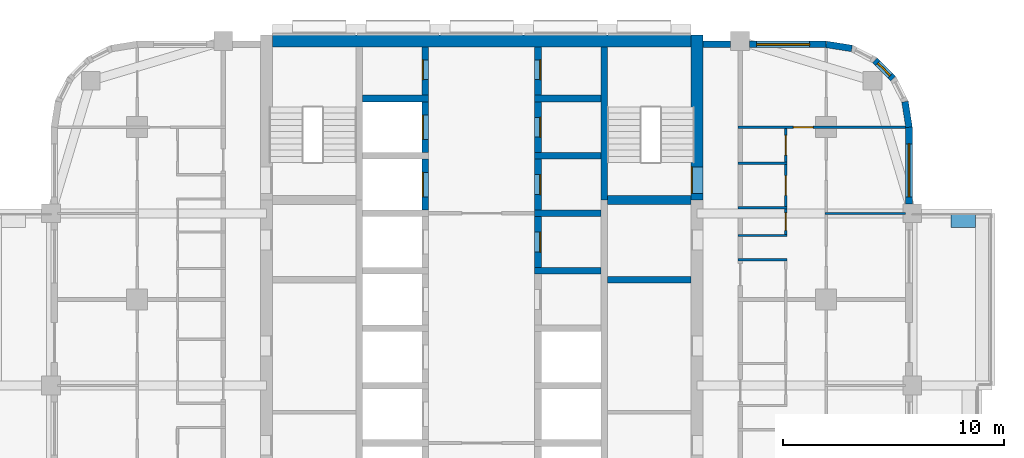
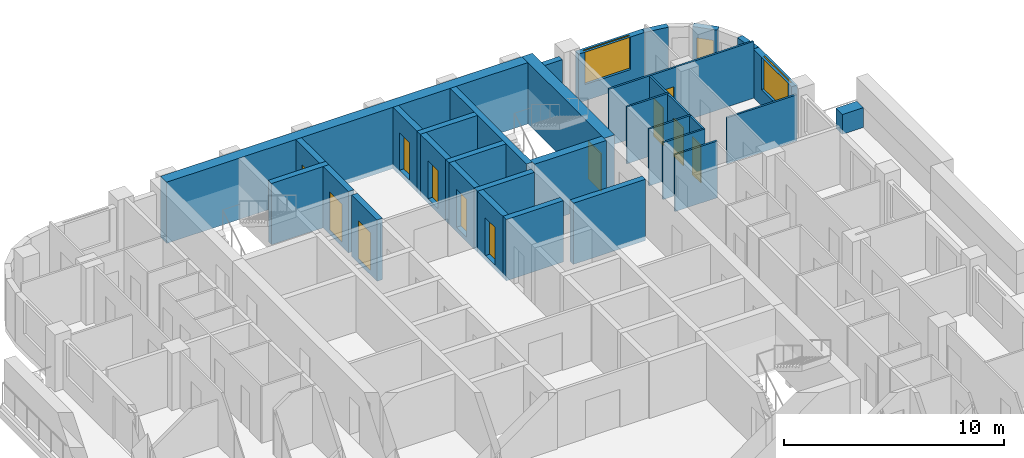
# One storey, part 9 of 14: 31 walls, 12 doors, 3 windows, 15 openings.
"""IFC4 building model written with IfcOpenShell, lengths in metres."""

from ifc_helpers import new_model, si_unit, direction, frame, frame_2d, origin, place, context, subcontext, project, spatial, rectangle, extrude, material, layer, layer_set, type_object, element, fill, save


model = new_model("IFC4")

# Units and contexts
model_context = context("Model", 3, precision=1e-05, world=origin(), true_north=direction((0.0, 1.0)))
body_context = subcontext(model_context, "Body", "Model", "MODEL_VIEW")
ifc_project = project(units=[si_unit("LENGTHUNIT", "METRE"), si_unit("AREAUNIT", "SQUARE_METRE"), si_unit("VOLUMEUNIT", "CUBIC_METRE"), si_unit("PLANEANGLEUNIT", "RADIAN"), si_unit("MASSUNIT", "GRAM", prefix="KILO")], contexts=[model_context])

# Site, building, storey
site_placement = place(None, origin())
site = spatial("IfcSite", under=ifc_project, at=site_placement, CompositionType="ELEMENT")
building_placement = place(site_placement, origin())
building = spatial("IfcBuilding", under=site, at=building_placement, Name="Ludao Terraces", CompositionType="ELEMENT")
storey_placement = place(building_placement, frame((0.0, 0.0, 110.10009765625)))
storey = spatial("IfcBuildingStorey", under=building, at=storey_placement, Name="L30", CompositionType="ELEMENT", Elevation=110.10009765625)

# Wall, opening, door
ifc_material_1 = material(Name="Concrete C60", Category="concrete")
ifc_layer_1 = layer(ifc_material_1, 0.550048828125)
ifc_layer_set_1 = layer_set([ifc_layer_1], Name="Core wall 550 C60")
wall_type_1 = type_object("IfcWallType", Name="Core wall 550 C60", PredefinedType="SOLIDWALL", material=ifc_layer_set_1)
wall_1_placement = place(storey_placement, frame((94.75, 77.300048828125, -0.25), z_axis=(0.0, 0.0, 1.0), x_axis=(0.0, 1.0, 0.0)))
wall_1 = element("IfcWall", 1, at=wall_1_placement, inside=storey, type_object=wall_type_1, Name="Core wall L30 outer-E-S2", PredefinedType="SOLIDWALL", context=body_context, shape_type="SweptSolid", body=[
    extrude(rectangle(XDim=7.474853515625, YDim=0.550048828125, at=frame_2d((3.7373046875, 0.0))), origin(), (0.0, 0.0, 1.0), 3.39990234375),
])
opening_1_placement = place(wall_1_placement, frame((0.300048828125, 0.0, 0.25)))
opening_1 = element("IfcOpeningElement", 2, at=opening_1_placement, cuts=wall_1, Name="Opening R09-088", PredefinedType="OPENING", context=body_context, shape_type="SweptSolid", body=[
    extrude(rectangle(XDim=1.199951171875, YDim=2.10009765625, at=frame_2d((0.60009765625, 1.050048828125))), frame((0.0, 0.28515625, 0.0), z_axis=(0.0, -1.0, 0.0), x_axis=(1.0, 0.0, 0.0)), (0.0, 0.0, 1.0), 0.570068359375),
])
ifc_material_2 = material(Name="Steel Q235", Category="steel")
door_type_1 = type_object("IfcDoorType", Name="INT Stair door 1200", OperationType="DOUBLE_DOOR_SINGLE_SWING", PredefinedType="DOOR", material=ifc_material_2)
door_1_placement = place(opening_1_placement, origin())
door_1 = element("IfcDoor", 3, at=door_1_placement, inside=storey, type_object=door_type_1, Name="DOOR 088", OperationType="DOUBLE_DOOR_SINGLE_SWING", OverallHeight=2.10009765625, OverallWidth=1.199951171875, PredefinedType="DOOR", context=body_context, shape_type="SweptSolid", body=[
    extrude(rectangle(XDim=1.199951171875, YDim=2.10009765625, at=frame_2d((0.60009765625, 1.050048828125))), frame((0.0, 0.26025390625, 0.0), z_axis=(0.0, -1.0, 0.0), x_axis=(1.0, 0.0, 0.0)), (0.0, 0.0, 1.0), 0.050048828125),
])
fill(opening_1, door_1)

# Walls
wall_2_placement = place(storey_placement, frame((75.52490234375, 84.5, -0.25), z_axis=(0.0, 0.0, 1.0), x_axis=(1.0, 0.0, 0.0)))
element("IfcWall", 4, at=wall_2_placement, inside=storey, type_object=wall_type_1, Name="Core wall L30 outer-N", PredefinedType="SOLIDWALL", context=body_context, shape_type="SweptSolid", body=[
    extrude(rectangle(XDim=18.9501953125, YDim=0.550048828125, at=frame_2d((9.47509765625, 0.0))), origin(), (0.0, 0.0, 1.0), 3.39990234375),
])
ifc_material_3 = material(Name="Concrete C40", Category="concrete")
ifc_layer_2 = layer(ifc_material_3, 0.60009765625)
ifc_layer_set_2 = layer_set([ifc_layer_2], Name="ENV Planter trough 600")
wall_type_2 = type_object("IfcWallType", Name="ENV Planter trough 600", PredefinedType="USERDEFINED", material=ifc_layer_set_2)
wall_3_placement = place(storey_placement, frame((107.35009765625, 76.35009765625, 0.0), z_axis=(0.0, 0.0, 1.0), x_axis=(-1.0, 0.0, 0.0)))
element("IfcWall", 5, at=wall_3_placement, inside=storey, type_object=wall_type_2, Name="PL-L30-E3-SB", ObjectType="PLANTER", PredefinedType="USERDEFINED", context=body_context, shape_type="SweptSolid", body=[
    extrude(rectangle(XDim=1.10009765625, YDim=0.60009765625, at=frame_2d((0.550048828125, 0.0))), origin(), (0.0, 0.0, 1.0), 1.099853515625),
])

# Wall, opening, window
ifc_material_4 = material(Name="Granite cladding", Category="masonry")
ifc_layer_3 = layer(ifc_material_4, 0.0400390625, Category="stone")
ifc_material_5 = material(Name="Mineral wool")
ifc_layer_4 = layer(ifc_material_5, 0.06005859375)
ifc_layer_5 = layer(ifc_material_3, 0.199951171875, Category="concrete")
ifc_layer_set_3 = layer_set([ifc_layer_3, ifc_layer_4, ifc_layer_5], Name="ENV Stone-clad wall 300")
wall_type_3 = type_object("IfcWallType", Name="ENV Stone-clad wall 300", PredefinedType="SOLIDWALL", material=ifc_layer_set_3)
wall_4_placement = place(storey_placement, frame((104.35009765625, 77.125, 0.0), z_axis=(0.0, 0.0, 1.0), x_axis=(0.0, 1.0, 0.0)))
wall_4 = element("IfcWall", 6, at=wall_4_placement, inside=storey, type_object=wall_type_3, Name="EW-L30-E5", PredefinedType="SOLIDWALL", context=body_context, shape_type="SweptSolid", body=[
    extrude(rectangle(XDim=3.47509765625, YDim=0.300048828125, at=frame_2d((1.737548828125, 0.0))), origin(), (0.0, 0.0, 1.0), 2.699951171875),
])
opening_2_placement = place(wall_4_placement, frame((0.324951171875, 0.0, 0.89990234375)))
opening_2 = element("IfcOpeningElement", 7, at=opening_2_placement, cuts=wall_4, Name="Opening W1", PredefinedType="OPENING", context=body_context, shape_type="SweptSolid", body=[
    extrude(rectangle(XDim=2.39990234375, YDim=1.800048828125, at=frame_2d((1.199951171875, 0.89990234375))), frame((0.0, 0.16015625, 0.0), z_axis=(0.0, -1.0, 0.0), x_axis=(1.0, 0.0, 0.0)), (0.0, 0.0, 1.0), 0.320068359375),
])
ifc_material_6 = material(Name="Clear glass in aluminium frame", Category="aluminium")
ifc_layer_6 = layer(ifc_material_6, 0.06005859375)
ifc_layer_set_4 = layer_set([ifc_layer_6], Name="ENV Window W1 2400x1800")
window_type_1 = type_object("IfcWindowType", Name="ENV Window W1 2400x1800", PartitioningType="DOUBLE_PANEL_VERTICAL", PredefinedType="WINDOW", material=ifc_layer_set_4)
window_1_placement = place(opening_2_placement, origin())
window_1 = element("IfcWindow", 8, at=window_1_placement, inside=storey, type_object=window_type_1, Name="W-L30-E5-1", OverallHeight=1.800048828125, OverallWidth=2.39990234375, PartitioningType="DOUBLE_PANEL_VERTICAL", PredefinedType="WINDOW", context=body_context, shape_type="SweptSolid", body=[
    extrude(rectangle(XDim=2.39990234375, YDim=1.800048828125, at=frame_2d((1.199951171875, 0.89990234375))), frame((0.0, 0.030029296875, 0.0), z_axis=(0.0, -1.0, 0.0), x_axis=(1.0, 0.0, 0.0)), (0.0, 0.0, 1.0), 0.06005859375),
])
fill(opening_2, window_1)

# Wall
wall_5_placement = place(storey_placement, frame((95.02490234375, 84.35009765625, 0.0), z_axis=(0.0, 0.0, 1.0), x_axis=(1.0, 0.0, 0.0)))
element("IfcWall", 9, at=wall_5_placement, inside=storey, type_object=wall_type_3, Name="EW-L30-N3", PredefinedType="SOLIDWALL", context=body_context, shape_type="SweptSolid", body=[
    extrude(rectangle(XDim=1.25, YDim=0.300048828125, at=frame_2d((0.625, 0.0))), origin(), (0.0, 0.0, 1.0), 2.699951171875),
])

# Wall, opening, window
wall_6_placement = place(storey_placement, frame((97.125, 84.35009765625, 0.0), z_axis=(0.0, 0.0, 1.0), x_axis=(1.0, 0.0, 0.0)))
wall_6 = element("IfcWall", 10, at=wall_6_placement, inside=storey, type_object=wall_type_3, Name="EW-L30-N4", PredefinedType="SOLIDWALL", context=body_context, shape_type="SweptSolid", body=[
    extrude(rectangle(XDim=3.47509765625, YDim=0.300048828125, at=frame_2d((1.737548828125, 0.0))), origin(), (0.0, 0.0, 1.0), 2.699951171875),
])
opening_3_placement = place(wall_6_placement, frame((0.324951171875, 0.0, 0.89990234375)))
opening_3 = element("IfcOpeningElement", 11, at=opening_3_placement, cuts=wall_6, Name="Opening W1", PredefinedType="OPENING", context=body_context, shape_type="SweptSolid", body=[
    extrude(rectangle(XDim=2.39990234375, YDim=1.800048828125, at=frame_2d((1.199951171875, 0.89990234375))), frame((0.0, 0.16015625, 0.0), z_axis=(0.0, -1.0, 0.0), x_axis=(1.0, 0.0, 0.0)), (0.0, 0.0, 1.0), 0.320068359375),
])
window_2_placement = place(opening_3_placement, origin())
window_2 = element("IfcWindow", 12, at=window_2_placement, inside=storey, type_object=window_type_1, Name="W-L30-N4-1", OverallHeight=1.800048828125, OverallWidth=2.39990234375, PartitioningType="DOUBLE_PANEL_VERTICAL", PredefinedType="WINDOW", context=body_context, shape_type="SweptSolid", body=[
    extrude(rectangle(XDim=2.39990234375, YDim=1.800048828125, at=frame_2d((1.199951171875, 0.89990234375))), frame((0.0, 0.030029296875, 0.0), z_axis=(0.0, -1.0, 0.0), x_axis=(1.0, 0.0, 0.0)), (0.0, 0.0, 1.0), 0.06005859375),
])
fill(opening_3, window_2)

# Wall
wall_7_placement = place(storey_placement, frame((104.35009765625, 80.60009765625, 0.0), z_axis=(0.0, 0.0, 1.0), x_axis=(-0.156496880861, 0.987678452879, 0.0)))
element("IfcWall", 13, at=wall_7_placement, inside=storey, type_object=wall_type_3, Name="EW-L30-NE1", PredefinedType="SOLIDWALL", context=body_context, shape_type="SweptSolid", body=[
    extrude(rectangle(XDim=1.173095703125, YDim=0.300048828125, at=frame_2d((0.58642578125, 0.0))), origin(), (0.0, 0.0, 1.0), 2.699951171875),
])

# Wall, opening, window
wall_8_placement = place(storey_placement, frame((103.6337890625, 82.80419921875, 0.0), z_axis=(0.0, 0.0, 1.0), x_axis=(-0.707106781187, 0.707106781187, 0.0)))
wall_8 = element("IfcWall", 14, at=wall_8_placement, inside=storey, type_object=wall_type_3, Name="EW-L30-NE3", PredefinedType="SOLIDWALL", context=body_context, shape_type="SweptSolid", body=[
    extrude(rectangle(XDim=1.173095703125, YDim=0.300048828125, at=frame_2d((0.58642578125, 0.0))), origin(), (0.0, 0.0, 1.0), 2.699951171875),
])
opening_4_placement = place(wall_8_placement, frame((0.1865234375, 0.0, 0.89990234375)))
opening_4 = element("IfcOpeningElement", 15, at=opening_4_placement, cuts=wall_8, Name="Opening W3", PredefinedType="OPENING", context=body_context, shape_type="SweptSolid", body=[
    extrude(rectangle(XDim=0.800048828125, YDim=1.199951171875, at=frame_2d((0.39990234375, 0.60009765625))), frame((0.0, 0.16015625, 0.0), z_axis=(0.0, -1.0, 0.0), x_axis=(1.0, 0.0, 0.0)), (0.0, 0.0, 1.0), 0.320068359375),
])
ifc_layer_7 = layer(ifc_material_6, 0.06005859375)
ifc_layer_set_5 = layer_set([ifc_layer_7], Name="ENV Window W3 800x1200")
window_type_2 = type_object("IfcWindowType", Name="ENV Window W3 800x1200", PartitioningType="SINGLE_PANEL", PredefinedType="WINDOW", material=ifc_layer_set_5)
window_3_placement = place(opening_4_placement, origin())
window_3 = element("IfcWindow", 16, at=window_3_placement, inside=storey, type_object=window_type_2, Name="W-L30-NE3", OverallHeight=1.199951171875, OverallWidth=0.800048828125, PartitioningType="SINGLE_PANEL", PredefinedType="WINDOW", context=body_context, shape_type="SweptSolid", body=[
    extrude(rectangle(XDim=0.800048828125, YDim=1.199951171875, at=frame_2d((0.39990234375, 0.60009765625))), frame((0.0, 0.030029296875, 0.0), z_axis=(0.0, -1.0, 0.0), x_axis=(1.0, 0.0, 0.0)), (0.0, 0.0, 1.0), 0.06005859375),
])
fill(opening_4, window_3)

# Walls
wall_9_placement = place(storey_placement, frame((101.7587890625, 84.16650390625, 0.0), z_axis=(0.0, 0.0, 1.0), x_axis=(-0.987678452879, 0.156496880861, 0.0)))
element("IfcWall", 17, at=wall_9_placement, inside=storey, type_object=wall_type_3, Name="EW-L30-NE5", PredefinedType="SOLIDWALL", context=body_context, shape_type="SweptSolid", body=[
    extrude(rectangle(XDim=1.173095703125, YDim=0.300048828125, at=frame_2d((0.58642578125, 0.0))), origin(), (0.0, 0.0, 1.0), 2.699951171875),
])
ifc_material_7 = material(Name="Gypsum plasterboard", Category="gypsum")
ifc_layer_8 = layer(ifc_material_7, 0.012451171875, Category="gypsum")
ifc_layer_9 = layer(ifc_material_5, 0.06005859375, Name="insulation")
ifc_layer_10 = layer(ifc_material_2, 0.014892578125, Name="stud")
ifc_layer_11 = layer(ifc_material_7, 0.012451171875, Category="gypsum")
ifc_layer_set_6 = layer_set([ifc_layer_8, ifc_layer_9, ifc_layer_10, ifc_layer_11], Name="INT Partition 100")
wall_type_4 = type_object("IfcWallType", Name="INT Partition 100", PredefinedType="PARTITIONING", material=ifc_layer_set_6)
for number, where, z_axis, x_axis, name in (
    (18, (96.60009765625, 74.60009765625, 0.0), (0.0, 0.0, 1.0), (1.0, 0.0, 0.0), "PW-L30-PW038"),
    (19, (96.60009765625, 75.699951171875, 0.0), (0.0, 0.0, 1.0), (1.0, 0.0, 0.0), "PW-L30-PW039"),
):
    element("IfcWall", number, at=place(storey_placement, frame(where, z_axis=z_axis, x_axis=x_axis)), inside=storey, type_object=wall_type_4, Name=name, PredefinedType="PARTITIONING", context=body_context, shape_type="SweptSolid", body=[
        extrude(rectangle(XDim=2.219970703125, YDim=0.10009765625, at=frame_2d((1.10986328125, 0.0))), origin(), (0.0, 0.0, 1.0), 3.14990234375),
    ])
wall_10_placement = place(storey_placement, frame((100.550048828125, 76.699951171875, 0.0), z_axis=(0.0, 0.0, 1.0), x_axis=(1.0, 0.0, 0.0)))
element("IfcWall", 20, at=wall_10_placement, inside=storey, type_object=wall_type_4, Name="PW-L30-PW043", PredefinedType="PARTITIONING", context=body_context, shape_type="SweptSolid", body=[
    extrude(rectangle(XDim=3.650146484375, YDim=0.10009765625, at=frame_2d((1.8251953125, 0.0))), origin(), (0.0, 0.0, 1.0), 2.5498046875),
])
for number, where, z_axis, x_axis, name in (
    (21, (96.60009765625, 76.949951171875, 0.0), (0.0, 0.0, 1.0), (1.0, 0.0, 0.0), "PW-L30-PW044"),
    (22, (96.60009765625, 78.969970703125, 0.0), (0.0, 0.0, 1.0), (1.0, 0.0, 0.0), "PW-L30-PW047"),
):
    element("IfcWall", number, at=place(storey_placement, frame(where, z_axis=z_axis, x_axis=x_axis)), inside=storey, type_object=wall_type_4, Name=name, PredefinedType="PARTITIONING", context=body_context, shape_type="SweptSolid", body=[
        extrude(rectangle(XDim=2.219970703125, YDim=0.10009765625, at=frame_2d((1.10986328125, 0.0))), origin(), (0.0, 0.0, 1.0), 3.14990234375),
    ])

# Wall, opening, door
wall_11_placement = place(storey_placement, frame((96.60009765625, 80.60009765625, 0.0), z_axis=(0.0, 0.0, 1.0), x_axis=(1.0, 0.0, 0.0)))
wall_11 = element("IfcWall", 23, at=wall_11_placement, inside=storey, type_object=wall_type_4, Name="PW-L30-PW049", PredefinedType="PARTITIONING", context=body_context, shape_type="SweptSolid", body=[
    extrude(rectangle(XDim=7.60009765625, YDim=0.10009765625, at=frame_2d((3.800048828125, 0.0))), origin(), (0.0, 0.0, 1.0), 3.14990234375),
])
opening_5_placement = place(wall_11_placement, frame((2.510009765625, 0.0, 0.0)))
opening_5 = element("IfcOpeningElement", 24, at=opening_5_placement, cuts=wall_11, Name="Opening R09-097", PredefinedType="OPENING", context=body_context, shape_type="SweptSolid", body=[
    extrude(rectangle(XDim=0.89990234375, YDim=2.10009765625, at=frame_2d((0.449951171875, 1.050048828125))), frame((0.0, 0.06005859375, 0.0), z_axis=(0.0, -1.0, 0.0), x_axis=(1.0, 0.0, 0.0)), (0.0, 0.0, 1.0), 0.1201171875),
])
ifc_material_8 = material(Name="Timber door leaf", Category="wood")
door_type_2 = type_object("IfcDoorType", Name="INT Room door 900", OperationType="SINGLE_SWING_LEFT", PredefinedType="DOOR", material=ifc_material_8)
door_2_placement = place(opening_5_placement, origin())
door_2 = element("IfcDoor", 25, at=door_2_placement, inside=storey, type_object=door_type_2, Name="DOOR 097", OperationType="SINGLE_SWING_RIGHT", OverallHeight=2.10009765625, OverallWidth=0.89990234375, PredefinedType="DOOR", context=body_context, shape_type="SweptSolid", body=[
    extrude(rectangle(XDim=0.89990234375, YDim=2.10009765625, at=frame_2d((0.449951171875, 1.050048828125))), frame((0.0, 0.02490234375, 0.0), z_axis=(0.0, -1.0, 0.0), x_axis=(1.0, 0.0, 0.0)), (0.0, 0.0, 1.0), 0.050048828125),
])
fill(opening_5, door_2)

# Wall, openings, doors
wall_12_placement = place(storey_placement, frame((98.77001953125, 75.75, 0.0), z_axis=(0.0, 0.0, 1.0), x_axis=(0.0, 1.0, 0.0)))
wall_12 = element("IfcWall", 26, at=wall_12_placement, inside=storey, type_object=wall_type_4, Name="PW-L30-PW076", PredefinedType="PARTITIONING", context=body_context, shape_type="SweptSolid", body=[
    extrude(rectangle(XDim=4.800048828125, YDim=0.10009765625, at=frame_2d((2.39990234375, 0.0))), origin(), (0.0, 0.0, 1.0), 3.14990234375),
])
opening_6_placement = place(wall_12_placement, frame((0.175048828125, 0.0, 0.0)))
opening_6 = element("IfcOpeningElement", 27, at=opening_6_placement, cuts=wall_12, Name="Opening R09-081", PredefinedType="OPENING", context=body_context, shape_type="SweptSolid", body=[
    extrude(rectangle(XDim=0.800048828125, YDim=2.10009765625, at=frame_2d((0.39990234375, 1.050048828125))), frame((0.0, 0.06005859375, 0.0), z_axis=(0.0, -1.0, 0.0), x_axis=(1.0, 0.0, 0.0)), (0.0, 0.0, 1.0), 0.1201171875),
])
opening_7_placement = place(wall_12_placement, frame((1.760009765625, 0.0, 0.0)))
opening_7 = element("IfcOpeningElement", 28, at=opening_7_placement, cuts=wall_12, Name="Opening R09-084", PredefinedType="OPENING", context=body_context, shape_type="SweptSolid", body=[
    extrude(rectangle(XDim=0.89990234375, YDim=2.10009765625, at=frame_2d((0.449951171875, 1.050048828125))), frame((0.0, 0.06005859375, 0.0), z_axis=(0.0, -1.0, 0.0), x_axis=(1.0, 0.0, 0.0)), (0.0, 0.0, 1.0), 0.1201171875),
])
opening_8_placement = place(wall_12_placement, frame((3.585205078125, 0.0, 0.0)))
opening_8 = element("IfcOpeningElement", 29, at=opening_8_placement, cuts=wall_12, Name="Opening R09-093", PredefinedType="OPENING", context=body_context, shape_type="SweptSolid", body=[
    extrude(rectangle(XDim=0.89990234375, YDim=2.10009765625, at=frame_2d((0.449951171875, 1.050048828125))), frame((0.0, 0.06005859375, 0.0), z_axis=(0.0, -1.0, 0.0), x_axis=(1.0, 0.0, 0.0)), (0.0, 0.0, 1.0), 0.1201171875),
])
door_type_3 = type_object("IfcDoorType", Name="INT Bathroom door 900", OperationType="SINGLE_SWING_LEFT", PredefinedType="DOOR", material=ifc_material_8)
door_3_placement = place(opening_8_placement, origin())
door_3 = element("IfcDoor", 30, at=door_3_placement, inside=storey, type_object=door_type_3, Name="DOOR 093", OperationType="SINGLE_SWING_LEFT", OverallHeight=2.10009765625, OverallWidth=0.89990234375, PredefinedType="DOOR", context=body_context, shape_type="SweptSolid", body=[
    extrude(rectangle(XDim=0.89990234375, YDim=2.10009765625, at=frame_2d((0.449951171875, 1.050048828125))), frame((0.0, 0.02490234375, 0.0), z_axis=(0.0, -1.0, 0.0), x_axis=(1.0, 0.0, 0.0)), (0.0, 0.0, 1.0), 0.050048828125),
])
fill(opening_8, door_3)
door_4_placement = place(opening_7_placement, origin())
door_4 = element("IfcDoor", 31, at=door_4_placement, inside=storey, type_object=door_type_2, Name="DOOR 084", OperationType="SINGLE_SWING_LEFT", OverallHeight=2.10009765625, OverallWidth=0.89990234375, PredefinedType="DOOR", context=body_context, shape_type="SweptSolid", body=[
    extrude(rectangle(XDim=0.89990234375, YDim=2.10009765625, at=frame_2d((0.449951171875, 1.050048828125))), frame((0.0, 0.02490234375, 0.0), z_axis=(0.0, -1.0, 0.0), x_axis=(1.0, 0.0, 0.0)), (0.0, 0.0, 1.0), 0.050048828125),
])
fill(opening_7, door_4)
door_type_4 = type_object("IfcDoorType", Name="INT Store door 800", OperationType="SINGLE_SWING_LEFT", PredefinedType="DOOR", material=ifc_material_8)
door_5_placement = place(opening_6_placement, origin())
door_5 = element("IfcDoor", 32, at=door_5_placement, inside=storey, type_object=door_type_4, Name="DOOR 081", OperationType="SINGLE_SWING_LEFT", OverallHeight=2.10009765625, OverallWidth=0.800048828125, PredefinedType="DOOR", context=body_context, shape_type="SweptSolid", body=[
    extrude(rectangle(XDim=0.800048828125, YDim=2.10009765625, at=frame_2d((0.39990234375, 1.050048828125))), frame((0.0, 0.02490234375, 0.0), z_axis=(0.0, -1.0, 0.0), x_axis=(1.0, 0.0, 0.0)), (0.0, 0.0, 1.0), 0.050048828125),
])
fill(opening_6, door_5)

# Wall
ifc_material_9 = material(Name="Concrete C55", Category="concrete")
ifc_layer_12 = layer(ifc_material_9, 0.300048828125)
ifc_layer_set_7 = layer_set([ifc_layer_12], Name="Shaft wall 300 C55")
wall_type_5 = type_object("IfcWallType", Name="Shaft wall 300 C55", PredefinedType="SOLIDWALL", material=ifc_layer_set_7)
wall_13_placement = place(storey_placement, frame((90.550048828125, 77.300048828125, -0.25), z_axis=(0.0, 0.0, 1.0), x_axis=(0.0, 1.0, 0.0)))
element("IfcWall", 33, at=wall_13_placement, inside=storey, type_object=wall_type_5, Name="Core wall L30 back-E-S2", PredefinedType="SOLIDWALL", context=body_context, shape_type="SweptSolid", body=[
    extrude(rectangle(XDim=6.925048828125, YDim=0.300048828125, at=frame_2d((3.46240234375, 0.0))), origin(), (0.0, 0.0, 1.0), 3.39990234375),
])

# Wall, opening, door
wall_14_placement = place(storey_placement, frame((82.449951171875, 76.85009765625, -0.25), z_axis=(0.0, 0.0, 1.0), x_axis=(0.0, 1.0, 0.0)))
wall_14 = element("IfcWall", 34, at=wall_14_placement, inside=storey, type_object=wall_type_5, Name="Core wall L30 front-W7", PredefinedType="SOLIDWALL", context=body_context, shape_type="SweptSolid", body=[
    extrude(rectangle(XDim=2.2998046875, YDim=0.300048828125, at=frame_2d((1.14990234375, 0.0))), origin(), (0.0, 0.0, 1.0), 3.39990234375),
])
opening_9_placement = place(wall_14_placement, frame((0.60009765625, 0.0, 0.25)))
opening_9 = element("IfcOpeningElement", 35, at=opening_9_placement, cuts=wall_14, Name="Opening LD-FF1", PredefinedType="OPENING", context=body_context, shape_type="SweptSolid", body=[
    extrude(rectangle(XDim=1.10009765625, YDim=2.10009765625, at=frame_2d((0.550048828125, 1.050048828125))), frame((0.0, 0.16015625, 0.0), z_axis=(0.0, -1.0, 0.0), x_axis=(1.0, 0.0, 0.0)), (0.0, 0.0, 1.0), 0.320068359375),
])
ifc_material_10 = material(Name="Stainless steel 304", Category="steel")
door_type_5 = type_object("IfcDoorType", Name="INT Lift landing door 1100", OperationType="SLIDING_TO_LEFT", PredefinedType="DOOR", material=ifc_material_10)
door_6_placement = place(opening_9_placement, origin())
door_6 = element("IfcDoor", 36, at=door_6_placement, inside=storey, type_object=door_type_5, Name="LANDING DOOR FF1 L30", OperationType="SLIDING_TO_LEFT", OverallHeight=2.10009765625, OverallWidth=1.10009765625, PredefinedType="DOOR", context=body_context, shape_type="SweptSolid", body=[
    extrude(rectangle(XDim=1.10009765625, YDim=2.10009765625, at=frame_2d((0.550048828125, 1.050048828125))), frame((0.0, 0.13525390625, 0.0), z_axis=(0.0, -1.0, 0.0), x_axis=(1.0, 0.0, 0.0)), (0.0, 0.0, 1.0), 0.050048828125),
])
fill(opening_9, door_6)

wall_15_placement = place(storey_placement, frame((82.449951171875, 79.449951171875, -0.25), z_axis=(0.0, 0.0, 1.0), x_axis=(0.0, 1.0, 0.0)))
wall_15 = element("IfcWall", 37, at=wall_15_placement, inside=storey, type_object=wall_type_5, Name="Core wall L30 front-W8", PredefinedType="SOLIDWALL", context=body_context, shape_type="SweptSolid", body=[
    extrude(rectangle(XDim=2.300048828125, YDim=0.300048828125, at=frame_2d((1.14990234375, 0.0))), origin(), (0.0, 0.0, 1.0), 3.39990234375),
])
opening_10_placement = place(wall_15_placement, frame((0.60009765625, 0.0, 0.25)))
opening_10 = element("IfcOpeningElement", 38, at=opening_10_placement, cuts=wall_15, Name="Opening LD-FF2", PredefinedType="OPENING", context=body_context, shape_type="SweptSolid", body=[
    extrude(rectangle(XDim=1.10009765625, YDim=2.10009765625, at=frame_2d((0.550048828125, 1.050048828125))), frame((0.0, 0.16015625, 0.0), z_axis=(0.0, -1.0, 0.0), x_axis=(1.0, 0.0, 0.0)), (0.0, 0.0, 1.0), 0.320068359375),
])
door_7_placement = place(opening_10_placement, origin())
door_7 = element("IfcDoor", 39, at=door_7_placement, inside=storey, type_object=door_type_5, Name="LANDING DOOR FF2 L30", OperationType="SLIDING_TO_LEFT", OverallHeight=2.10009765625, OverallWidth=1.10009765625, PredefinedType="DOOR", context=body_context, shape_type="SweptSolid", body=[
    extrude(rectangle(XDim=1.10009765625, YDim=2.10009765625, at=frame_2d((0.550048828125, 1.050048828125))), frame((0.0, 0.13525390625, 0.0), z_axis=(0.0, -1.0, 0.0), x_axis=(1.0, 0.0, 0.0)), (0.0, 0.0, 1.0), 0.050048828125),
])
fill(opening_10, door_7)

# Wall
wall_16_placement = place(storey_placement, frame((79.60009765625, 81.89990234375, -0.25), z_axis=(0.0, 0.0, 1.0), x_axis=(1.0, 0.0, 0.0)))
element("IfcWall", 40, at=wall_16_placement, inside=storey, type_object=wall_type_5, Name="Core wall L30 div-W9", PredefinedType="SOLIDWALL", context=body_context, shape_type="SweptSolid", body=[
    extrude(rectangle(XDim=3.0, YDim=0.300048828125, at=frame_2d((1.5, 0.0))), origin(), (0.0, 0.0, 1.0), 3.39990234375),
])

# Wall, opening, door
wall_17_placement = place(storey_placement, frame((82.449951171875, 82.050048828125, -0.25), z_axis=(0.0, 0.0, 1.0), x_axis=(0.0, 1.0, 0.0)))
wall_17 = element("IfcWall", 41, at=wall_17_placement, inside=storey, type_object=wall_type_5, Name="Core wall L30 front-W9", PredefinedType="SOLIDWALL", context=body_context, shape_type="SweptSolid", body=[
    extrude(rectangle(XDim=2.175048828125, YDim=0.300048828125, at=frame_2d((1.08740234375, 0.0))), origin(), (0.0, 0.0, 1.0), 3.39990234375),
])
opening_11_placement = place(wall_17_placement, frame((0.699951171875, 0.0, 0.25)))
opening_11 = element("IfcOpeningElement", 42, at=opening_11_placement, cuts=wall_17, Name="Opening R09-100", PredefinedType="OPENING", context=body_context, shape_type="SweptSolid", body=[
    extrude(rectangle(XDim=0.89990234375, YDim=2.10009765625, at=frame_2d((0.449951171875, 1.050048828125))), frame((0.0, 0.16015625, 0.0), z_axis=(0.0, -1.0, 0.0), x_axis=(1.0, 0.0, 0.0)), (0.0, 0.0, 1.0), 0.320068359375),
])
door_8_placement = place(opening_11_placement, origin())
door_8 = element("IfcDoor", 43, at=door_8_placement, inside=storey, type_object=door_type_2, Name="DOOR 100", OperationType="SINGLE_SWING_RIGHT", OverallHeight=2.10009765625, OverallWidth=0.89990234375, PredefinedType="DOOR", context=body_context, shape_type="SweptSolid", body=[
    extrude(rectangle(XDim=0.89990234375, YDim=2.10009765625, at=frame_2d((0.449951171875, 1.050048828125))), frame((0.0, 0.13525390625, 0.0), z_axis=(0.0, -1.0, 0.0), x_axis=(1.0, 0.0, 0.0)), (0.0, 0.0, 1.0), 0.050048828125),
])
fill(opening_11, door_8)

# Wall
wall_18_placement = place(storey_placement, frame((87.39990234375, 74.10009765625, -0.25), z_axis=(0.0, 0.0, 1.0), x_axis=(1.0, 0.0, 0.0)))
element("IfcWall", 44, at=wall_18_placement, inside=storey, type_object=wall_type_5, Name="Core wall L30 div-E6", PredefinedType="SOLIDWALL", context=body_context, shape_type="SweptSolid", body=[
    extrude(rectangle(XDim=3.0, YDim=0.300048828125, at=frame_2d((1.5, 0.0))), origin(), (0.0, 0.0, 1.0), 3.39990234375),
])

# Wall, opening, door
wall_19_placement = place(storey_placement, frame((87.550048828125, 74.25, -0.25), z_axis=(0.0, 0.0, 1.0), x_axis=(0.0, 1.0, 0.0)))
wall_19 = element("IfcWall", 45, at=wall_19_placement, inside=storey, type_object=wall_type_5, Name="Core wall L30 front-E6", PredefinedType="SOLIDWALL", context=body_context, shape_type="SweptSolid", body=[
    extrude(rectangle(XDim=2.300048828125, YDim=0.300048828125, at=frame_2d((1.14990234375, 0.0))), origin(), (0.0, 0.0, 1.0), 3.39990234375),
])
opening_12_placement = place(wall_19_placement, frame((0.699951171875, 0.0, 0.25)))
opening_12 = element("IfcOpeningElement", 46, at=opening_12_placement, cuts=wall_19, Name="Opening R09-078", PredefinedType="OPENING", context=body_context, shape_type="SweptSolid", body=[
    extrude(rectangle(XDim=0.89990234375, YDim=2.10009765625, at=frame_2d((0.449951171875, 1.050048828125))), frame((0.0, 0.16015625, 0.0), z_axis=(0.0, -1.0, 0.0), x_axis=(1.0, 0.0, 0.0)), (0.0, 0.0, 1.0), 0.320068359375),
])
door_9_placement = place(opening_12_placement, origin())
door_9 = element("IfcDoor", 47, at=door_9_placement, inside=storey, type_object=door_type_2, Name="DOOR 078", OperationType="SINGLE_SWING_LEFT", OverallHeight=2.10009765625, OverallWidth=0.89990234375, PredefinedType="DOOR", context=body_context, shape_type="SweptSolid", body=[
    extrude(rectangle(XDim=0.89990234375, YDim=2.10009765625, at=frame_2d((0.449951171875, 1.050048828125))), frame((0.0, -0.0849609375, 0.0), z_axis=(0.0, -1.0, 0.0), x_axis=(1.0, 0.0, 0.0)), (0.0, 0.0, 1.0), 0.050048828125),
])
fill(opening_12, door_9)

# Wall
wall_20_placement = place(storey_placement, frame((87.39990234375, 76.699951171875, -0.25), z_axis=(0.0, 0.0, 1.0), x_axis=(1.0, 0.0, 0.0)))
element("IfcWall", 48, at=wall_20_placement, inside=storey, type_object=wall_type_5, Name="Core wall L30 div-E7", PredefinedType="SOLIDWALL", context=body_context, shape_type="SweptSolid", body=[
    extrude(rectangle(XDim=3.0, YDim=0.300048828125, at=frame_2d((1.5, 0.0))), origin(), (0.0, 0.0, 1.0), 3.39990234375),
])

# Wall, opening, door
wall_21_placement = place(storey_placement, frame((87.550048828125, 76.85009765625, -0.25), z_axis=(0.0, 0.0, 1.0), x_axis=(0.0, 1.0, 0.0)))
wall_21 = element("IfcWall", 49, at=wall_21_placement, inside=storey, type_object=wall_type_5, Name="Core wall L30 front-E7", PredefinedType="SOLIDWALL", context=body_context, shape_type="SweptSolid", body=[
    extrude(rectangle(XDim=2.2998046875, YDim=0.300048828125, at=frame_2d((1.14990234375, 0.0))), origin(), (0.0, 0.0, 1.0), 3.39990234375),
])
opening_13_placement = place(wall_21_placement, frame((0.699951171875, 0.0, 0.25)))
opening_13 = element("IfcOpeningElement", 50, at=opening_13_placement, cuts=wall_21, Name="Opening R09-086", PredefinedType="OPENING", context=body_context, shape_type="SweptSolid", body=[
    extrude(rectangle(XDim=0.89990234375, YDim=2.10009765625, at=frame_2d((0.449951171875, 1.050048828125))), frame((0.0, 0.16015625, 0.0), z_axis=(0.0, -1.0, 0.0), x_axis=(1.0, 0.0, 0.0)), (0.0, 0.0, 1.0), 0.320068359375),
])
door_10_placement = place(opening_13_placement, origin())
door_10 = element("IfcDoor", 51, at=door_10_placement, inside=storey, type_object=door_type_2, Name="DOOR 086", OperationType="SINGLE_SWING_RIGHT", OverallHeight=2.10009765625, OverallWidth=0.89990234375, PredefinedType="DOOR", context=body_context, shape_type="SweptSolid", body=[
    extrude(rectangle(XDim=0.89990234375, YDim=2.10009765625, at=frame_2d((0.449951171875, 1.050048828125))), frame((0.0, -0.0849609375, 0.0), z_axis=(0.0, -1.0, 0.0), x_axis=(1.0, 0.0, 0.0)), (0.0, 0.0, 1.0), 0.050048828125),
])
fill(opening_13, door_10)

# Wall
wall_22_placement = place(storey_placement, frame((87.39990234375, 79.300048828125, -0.25), z_axis=(0.0, 0.0, 1.0), x_axis=(1.0, 0.0, 0.0)))
element("IfcWall", 52, at=wall_22_placement, inside=storey, type_object=wall_type_5, Name="Core wall L30 div-E8", PredefinedType="SOLIDWALL", context=body_context, shape_type="SweptSolid", body=[
    extrude(rectangle(XDim=3.0, YDim=0.300048828125, at=frame_2d((1.5, 0.0))), origin(), (0.0, 0.0, 1.0), 3.39990234375),
])

# Wall, opening, door
wall_23_placement = place(storey_placement, frame((87.550048828125, 79.449951171875, -0.25), z_axis=(0.0, 0.0, 1.0), x_axis=(0.0, 1.0, 0.0)))
wall_23 = element("IfcWall", 53, at=wall_23_placement, inside=storey, type_object=wall_type_5, Name="Core wall L30 front-E8", PredefinedType="SOLIDWALL", context=body_context, shape_type="SweptSolid", body=[
    extrude(rectangle(XDim=2.300048828125, YDim=0.300048828125, at=frame_2d((1.14990234375, 0.0))), origin(), (0.0, 0.0, 1.0), 3.39990234375),
])
opening_14_placement = place(wall_23_placement, frame((0.699951171875, 0.0, 0.25)))
opening_14 = element("IfcOpeningElement", 54, at=opening_14_placement, cuts=wall_23, Name="Opening R09-096", PredefinedType="OPENING", context=body_context, shape_type="SweptSolid", body=[
    extrude(rectangle(XDim=0.89990234375, YDim=2.10009765625, at=frame_2d((0.449951171875, 1.050048828125))), frame((0.0, 0.16015625, 0.0), z_axis=(0.0, -1.0, 0.0), x_axis=(1.0, 0.0, 0.0)), (0.0, 0.0, 1.0), 0.320068359375),
])
door_11_placement = place(opening_14_placement, origin())
door_11 = element("IfcDoor", 55, at=door_11_placement, inside=storey, type_object=door_type_2, Name="DOOR 096", OperationType="SINGLE_SWING_RIGHT", OverallHeight=2.10009765625, OverallWidth=0.89990234375, PredefinedType="DOOR", context=body_context, shape_type="SweptSolid", body=[
    extrude(rectangle(XDim=0.89990234375, YDim=2.10009765625, at=frame_2d((0.449951171875, 1.050048828125))), frame((0.0, -0.0849609375, 0.0), z_axis=(0.0, -1.0, 0.0), x_axis=(1.0, 0.0, 0.0)), (0.0, 0.0, 1.0), 0.050048828125),
])
fill(opening_14, door_11)

# Wall
wall_24_placement = place(storey_placement, frame((87.39990234375, 81.89990234375, -0.25), z_axis=(0.0, 0.0, 1.0), x_axis=(1.0, 0.0, 0.0)))
element("IfcWall", 56, at=wall_24_placement, inside=storey, type_object=wall_type_5, Name="Core wall L30 div-E9", PredefinedType="SOLIDWALL", context=body_context, shape_type="SweptSolid", body=[
    extrude(rectangle(XDim=3.0, YDim=0.300048828125, at=frame_2d((1.5, 0.0))), origin(), (0.0, 0.0, 1.0), 3.39990234375),
])

# Wall, opening, door
wall_25_placement = place(storey_placement, frame((87.550048828125, 82.050048828125, -0.25), z_axis=(0.0, 0.0, 1.0), x_axis=(0.0, 1.0, 0.0)))
wall_25 = element("IfcWall", 57, at=wall_25_placement, inside=storey, type_object=wall_type_5, Name="Core wall L30 front-E9", PredefinedType="SOLIDWALL", context=body_context, shape_type="SweptSolid", body=[
    extrude(rectangle(XDim=2.175048828125, YDim=0.300048828125, at=frame_2d((1.08740234375, 0.0))), origin(), (0.0, 0.0, 1.0), 3.39990234375),
])
opening_15_placement = place(wall_25_placement, frame((0.699951171875, 0.0, 0.25)))
opening_15 = element("IfcOpeningElement", 58, at=opening_15_placement, cuts=wall_25, Name="Opening R09-101", PredefinedType="OPENING", context=body_context, shape_type="SweptSolid", body=[
    extrude(rectangle(XDim=0.89990234375, YDim=2.10009765625, at=frame_2d((0.449951171875, 1.050048828125))), frame((0.0, 0.16015625, 0.0), z_axis=(0.0, -1.0, 0.0), x_axis=(1.0, 0.0, 0.0)), (0.0, 0.0, 1.0), 0.320068359375),
])
door_12_placement = place(opening_15_placement, origin())
door_12 = element("IfcDoor", 59, at=door_12_placement, inside=storey, type_object=door_type_2, Name="DOOR 101", OperationType="SINGLE_SWING_LEFT", OverallHeight=2.10009765625, OverallWidth=0.89990234375, PredefinedType="DOOR", context=body_context, shape_type="SweptSolid", body=[
    extrude(rectangle(XDim=0.89990234375, YDim=2.10009765625, at=frame_2d((0.449951171875, 1.050048828125))), frame((0.0, -0.0849609375, 0.0), z_axis=(0.0, -1.0, 0.0), x_axis=(1.0, 0.0, 0.0)), (0.0, 0.0, 1.0), 0.050048828125),
])
fill(opening_15, door_12)

# Walls
wall_26_placement = place(storey_placement, frame((90.699951171875, 73.699951171875, -0.25), z_axis=(0.0, 0.0, 1.0), x_axis=(1.0, 0.0, 0.0)))
element("IfcWall", 60, at=wall_26_placement, inside=storey, type_object=wall_type_5, Name="Core wall L30 riser-b-E", PredefinedType="SOLIDWALL", context=body_context, shape_type="SweptSolid", body=[
    extrude(rectangle(XDim=3.775146484375, YDim=0.300048828125, at=frame_2d((1.8876953125, 0.0))), origin(), (0.0, 0.0, 1.0), 3.39990234375),
])
ifc_layer_13 = layer(ifc_material_9, 0.39990234375)
ifc_layer_set_8 = layer_set([ifc_layer_13], Name="Shaft wall 400 C55")
wall_type_6 = type_object("IfcWallType", Name="Shaft wall 400 C55", PredefinedType="SOLIDWALL", material=ifc_layer_set_8)
wall_27_placement = place(storey_placement, frame((90.699951171875, 77.300048828125, -0.25), z_axis=(0.0, 0.0, 1.0), x_axis=(1.0, 0.0, 0.0)))
element("IfcWall", 61, at=wall_27_placement, inside=storey, type_object=wall_type_6, Name="Core wall L30 stair-E", PredefinedType="SOLIDWALL", context=body_context, shape_type="SweptSolid", body=[
    extrude(rectangle(XDim=3.775146484375, YDim=0.39990234375, at=frame_2d((1.8876953125, 0.0))), origin(), (0.0, 0.0, 1.0), 3.39990234375),
])

save(model, "model.ifc")
